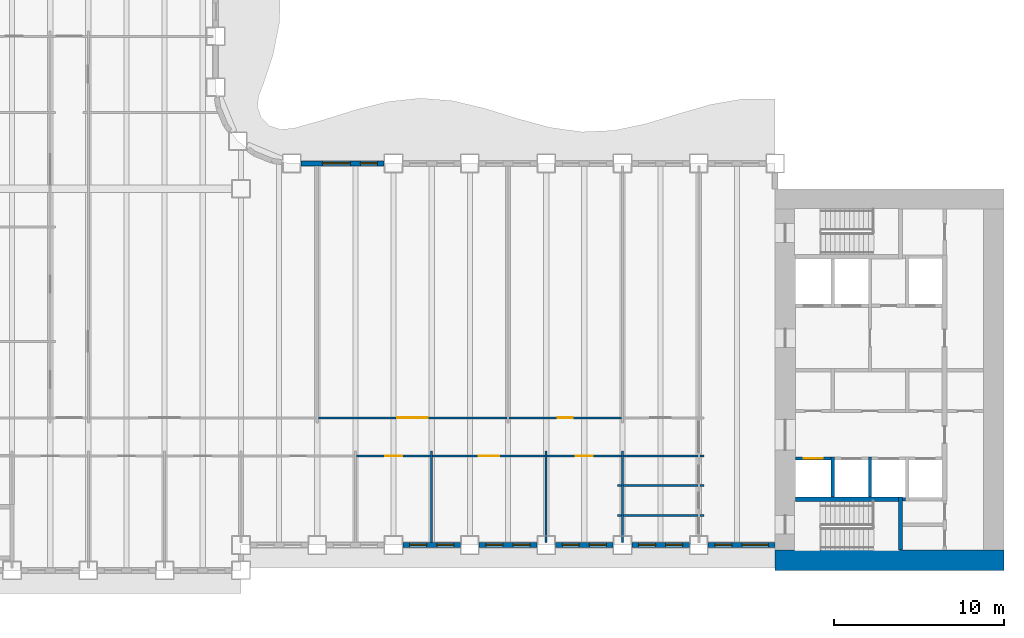
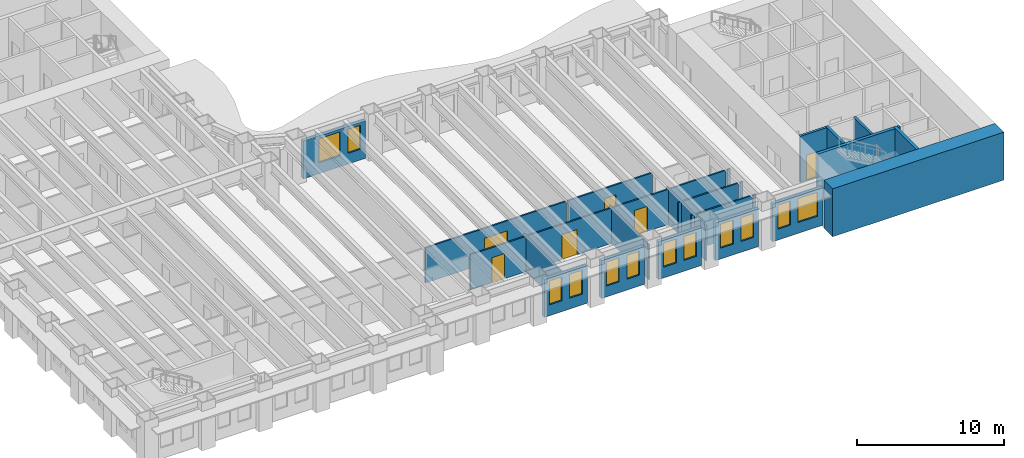
# One storey, part 5 of 17: 29 walls, 12 windows, 6 doors, 18 openings.
"""IFC4 building model written with IfcOpenShell, lengths in metres."""

from ifc_helpers import new_model, si_unit, direction, frame, frame_2d, origin, place, context, subcontext, project, spatial, rectangle, extrude, material, layer, layer_set, type_object, element, fill, save


model = new_model("IFC4")

# Units and contexts
model_context = context("Model", 3, precision=1e-05, world=origin(), true_north=direction((0.0, 1.0)))
body_context = subcontext(model_context, "Body", "Model", "MODEL_VIEW")
ifc_project = project(units=[si_unit("LENGTHUNIT", "METRE"), si_unit("AREAUNIT", "SQUARE_METRE"), si_unit("VOLUMEUNIT", "CUBIC_METRE"), si_unit("PLANEANGLEUNIT", "RADIAN"), si_unit("MASSUNIT", "GRAM", prefix="KILO")], contexts=[model_context])

# Site, building, storey
site_placement = place(None, origin())
site = spatial("IfcSite", under=ifc_project, at=site_placement, CompositionType="ELEMENT")
building_placement = place(site_placement, origin())
building = spatial("IfcBuilding", under=site, at=building_placement, Name="Sennacour Bend Tower", CompositionType="ELEMENT")
storey_placement = place(building_placement, frame((0.0, 0.0, 53.0)))
storey = spatial("IfcBuildingStorey", under=building, at=storey_placement, Name="L11", CompositionType="ELEMENT", Elevation=53.0)

# Walls
ifc_material_1 = material(Name="Concrete C80/95", Category="concrete")
ifc_layer_1 = layer(ifc_material_1, 1.199951171875, Name="Concrete C80/95", Category="concrete")
ifc_layer_set_1 = layer_set([ifc_layer_1], Name="Concrete C80/95")
wall_type_1 = type_object("IfcWallType", Name="Core wall 1200 C80/95", PredefinedType="SHEAR", material=ifc_layer_set_1)
wall_1_placement = place(storey_placement, frame((67.5, 0.60009765625, -0.14990234375), z_axis=(0.0, 0.0, 1.0), x_axis=(-1.0, 0.0, 0.0)))
element("IfcWall", 1, at=wall_1_placement, inside=storey, type_object=wall_type_1, Name="Core A wall L11 S", PredefinedType="SHEAR", context=body_context, shape_type="SweptSolid", body=[
    extrude(rectangle(XDim=13.5, YDim=1.199951171875, at=frame_2d((6.75, 0.0))), origin(), (0.0, 0.0, 1.0), 4.0),
])
ifc_material_2 = material(Name="Plasterboard partition on steel studs", Category="steel")
ifc_layer_2 = layer(ifc_material_2, 0.1201171875, Name="Plasterboard partition on steel studs", Category="steel")
ifc_layer_set_2 = layer_set([ifc_layer_2], Name="Plasterboard partition on steel studs")
wall_type_2 = type_object("IfcWallType", Name="Partition 120", PredefinedType="PARTITIONING", material=ifc_layer_set_2)
for number, where, z_axis, x_axis, name in (
    (2, (33.75, 1.64990234375, 0.0), (0.0, 0.0, 1.0), (0.0, 1.0, 0.0), "P-L11-W029a"),
    (3, (40.5, 1.64990234375, 0.0), (0.0, 0.0, 1.0), (0.0, 1.0, 0.0), "P-L11-W031a"),
    (4, (45.0, 1.64990234375, 0.0), (0.0, 0.0, 1.0), (0.0, 1.0, 0.0), "P-L11-W032a"),
):
    element("IfcWall", number, at=place(storey_placement, frame(where, z_axis=z_axis, x_axis=x_axis)), inside=storey, type_object=wall_type_2, Name=name, PredefinedType="PARTITIONING", context=body_context, shape_type="SweptSolid", body=[
        extrude(rectangle(XDim=5.400146484375, YDim=0.1201171875, at=frame_2d((2.7001953125, 0.0))), origin(), (0.0, 0.0, 1.0), 2.93798828125),
    ])
wall_2_placement = place(storey_placement, frame((44.699951171875, 3.25, 0.0), z_axis=(0.0, 0.0, 1.0), x_axis=(1.0, 0.0, 0.0)))
element("IfcWall", 5, at=wall_2_placement, inside=storey, type_object=wall_type_2, Name="P-L11-W054aa", PredefinedType="PARTITIONING", context=body_context, shape_type="SweptSolid", body=[
    extrude(rectangle(XDim=0.239990234375, YDim=0.1201171875, at=frame_2d((0.1201171875, 0.0))), origin(), (0.0, 0.0, 1.0), 2.93798828125),
])
wall_3_placement = place(storey_placement, frame((45.06005859375, 3.25, 0.0), z_axis=(0.0, 0.0, 1.0), x_axis=(1.0, 0.0, 0.0)))
element("IfcWall", 6, at=wall_3_placement, inside=storey, type_object=wall_type_2, Name="P-L11-W054ab", PredefinedType="PARTITIONING", context=body_context, shape_type="SweptSolid", body=[
    extrude(rectangle(XDim=4.3798828125, YDim=0.1201171875, at=frame_2d((2.18994140625, 0.0))), origin(), (0.0, 0.0, 1.0), 2.93798828125),
])
for number, where, z_axis, x_axis, name in (
    (7, (49.56005859375, 3.25, 0.0), (0.0, 0.0, 1.0), (1.0, 0.0, 0.0), "P-L11-W054ac"),
    (8, (44.699951171875, 5.0, 0.0), (0.0, 0.0, 1.0), (1.0, 0.0, 0.0), "P-L11-W059aa"),
):
    element("IfcWall", number, at=place(storey_placement, frame(where, z_axis=z_axis, x_axis=x_axis)), inside=storey, type_object=wall_type_2, Name=name, PredefinedType="PARTITIONING", context=body_context, shape_type="SweptSolid", body=[
        extrude(rectangle(XDim=0.239990234375, YDim=0.1201171875, at=frame_2d((0.1201171875, 0.0))), origin(), (0.0, 0.0, 1.0), 2.93798828125),
    ])
wall_4_placement = place(storey_placement, frame((45.06005859375, 5.0, 0.0), z_axis=(0.0, 0.0, 1.0), x_axis=(1.0, 0.0, 0.0)))
element("IfcWall", 9, at=wall_4_placement, inside=storey, type_object=wall_type_2, Name="P-L11-W059ab", PredefinedType="PARTITIONING", context=body_context, shape_type="SweptSolid", body=[
    extrude(rectangle(XDim=4.3798828125, YDim=0.1201171875, at=frame_2d((2.18994140625, 0.0))), origin(), (0.0, 0.0, 1.0), 2.93798828125),
])
wall_5_placement = place(storey_placement, frame((49.56005859375, 5.0, 0.0), z_axis=(0.0, 0.0, 1.0), x_axis=(1.0, 0.0, 0.0)))
element("IfcWall", 10, at=wall_5_placement, inside=storey, type_object=wall_type_2, Name="P-L11-W059ac", PredefinedType="PARTITIONING", context=body_context, shape_type="SweptSolid", body=[
    extrude(rectangle(XDim=0.239990234375, YDim=0.1201171875, at=frame_2d((0.1201171875, 0.0))), origin(), (0.0, 0.0, 1.0), 2.93798828125),
])

# Wall, opening, door
wall_6_placement = place(storey_placement, frame((29.31005859375, 6.75, 0.0), z_axis=(0.0, 0.0, 1.0), x_axis=(1.0, 0.0, 0.0)))
wall_6 = element("IfcWall", 11, at=wall_6_placement, inside=storey, type_object=wall_type_2, Name="P-L11-W061af", PredefinedType="PARTITIONING", context=body_context, shape_type="SweptSolid", body=[
    extrude(rectangle(XDim=4.3798828125, YDim=0.1201171875, at=frame_2d((2.18994140625, 0.0))), origin(), (0.0, 0.0, 1.0), 2.93798828125),
])
opening_1_placement = place(wall_6_placement, frame((1.68994140625, 0.0, 0.0)))
opening_1 = element("IfcOpeningElement", 12, at=opening_1_placement, cuts=wall_6, Name="Opening OD2", PredefinedType="OPENING", context=body_context, shape_type="SweptSolid", body=[
    extrude(rectangle(XDim=1.0, YDim=2.10009765625, at=frame_2d((0.5, 1.050048828125))), frame((0.0, 0.070068359375, 0.0), z_axis=(0.0, -1.0, 0.0), x_axis=(1.0, 0.0, 0.0)), (0.0, 0.0, 1.0), 0.14013671875),
])
ifc_material_3 = material(Name="Timber", Category="wood")
door_type_1 = type_object("IfcDoorType", Name="DR-OFFICE-1000", OperationType="NOTDEFINED", PredefinedType="DOOR", material=ifc_material_3)
door_1_placement = place(opening_1_placement, origin())
door_1 = element("IfcDoor", 13, at=door_1_placement, inside=storey, type_object=door_type_1, Name="Door", OperationType="SINGLE_SWING_LEFT", OverallHeight=2.10009765625, OverallWidth=1.0, PredefinedType="DOOR", context=body_context, shape_type="SweptSolid", body=[
    extrude(rectangle(XDim=1.0, YDim=2.10009765625, at=frame_2d((0.5, 1.050048828125))), frame((0.0, 0.02490234375, 0.0), z_axis=(0.0, -1.0, 0.0), x_axis=(1.0, 0.0, 0.0)), (0.0, 0.0, 1.0), 0.050048828125),
])
fill(opening_1, door_1)

wall_7_placement = place(storey_placement, frame((33.81005859375, 6.75, 0.0), z_axis=(0.0, 0.0, 1.0), x_axis=(1.0, 0.0, 0.0)))
wall_7 = element("IfcWall", 14, at=wall_7_placement, inside=storey, type_object=wall_type_2, Name="P-L11-W061ag", PredefinedType="PARTITIONING", context=body_context, shape_type="SweptSolid", body=[
    extrude(rectangle(XDim=6.6298828125, YDim=0.1201171875, at=frame_2d((3.31494140625, 0.0))), origin(), (0.0, 0.0, 1.0), 2.93798828125),
])
opening_2_placement = place(wall_7_placement, frame((2.71484375, 0.0, 0.0)))
opening_2 = element("IfcOpeningElement", 15, at=opening_2_placement, cuts=wall_7, Name="Opening OD", PredefinedType="OPENING", context=body_context, shape_type="SweptSolid", body=[
    extrude(rectangle(XDim=1.199951171875, YDim=2.10009765625, at=frame_2d((0.60009765625, 1.050048828125))), frame((0.0, 0.070068359375, 0.0), z_axis=(0.0, -1.0, 0.0), x_axis=(1.0, 0.0, 0.0)), (0.0, 0.0, 1.0), 0.14013671875),
])
door_type_2 = type_object("IfcDoorType", Name="DR-OFFICE-1200", OperationType="NOTDEFINED", PredefinedType="DOOR", material=ifc_material_3)
door_2_placement = place(opening_2_placement, origin())
door_2 = element("IfcDoor", 16, at=door_2_placement, inside=storey, type_object=door_type_2, Name="Door", OperationType="SINGLE_SWING_LEFT", OverallHeight=2.10009765625, OverallWidth=1.199951171875, PredefinedType="DOOR", context=body_context, shape_type="SweptSolid", body=[
    extrude(rectangle(XDim=1.199951171875, YDim=2.10009765625, at=frame_2d((0.60009765625, 1.050048828125))), frame((0.0, 0.02490234375, 0.0), z_axis=(0.0, -1.0, 0.0), x_axis=(1.0, 0.0, 0.0)), (0.0, 0.0, 1.0), 0.050048828125),
])
fill(opening_2, door_2)

wall_8_placement = place(storey_placement, frame((40.56005859375, 6.75, 0.0), z_axis=(0.0, 0.0, 1.0), x_axis=(1.0, 0.0, 0.0)))
wall_8 = element("IfcWall", 17, at=wall_8_placement, inside=storey, type_object=wall_type_2, Name="P-L11-W061ah", PredefinedType="PARTITIONING", context=body_context, shape_type="SweptSolid", body=[
    extrude(rectangle(XDim=4.3798828125, YDim=0.1201171875, at=frame_2d((2.18994140625, 0.0))), origin(), (0.0, 0.0, 1.0), 2.93798828125),
])
opening_3_placement = place(wall_8_placement, frame((1.68994140625, 0.0, 0.0)))
opening_3 = element("IfcOpeningElement", 18, at=opening_3_placement, cuts=wall_8, Name="Opening MD2", PredefinedType="OPENING", context=body_context, shape_type="SweptSolid", body=[
    extrude(rectangle(XDim=1.0, YDim=2.10009765625, at=frame_2d((0.5, 1.050048828125))), frame((0.0, 0.070068359375, 0.0), z_axis=(0.0, -1.0, 0.0), x_axis=(1.0, 0.0, 0.0)), (0.0, 0.0, 1.0), 0.14013671875),
])
door_type_3 = type_object("IfcDoorType", Name="DR-MEETING-1000", OperationType="NOTDEFINED", PredefinedType="DOOR", material=ifc_material_3)
door_3_placement = place(opening_3_placement, origin())
door_3 = element("IfcDoor", 19, at=door_3_placement, inside=storey, type_object=door_type_3, Name="Door", OperationType="SINGLE_SWING_LEFT", OverallHeight=2.10009765625, OverallWidth=1.0, PredefinedType="DOOR", context=body_context, shape_type="SweptSolid", body=[
    extrude(rectangle(XDim=1.0, YDim=2.10009765625, at=frame_2d((0.5, 1.050048828125))), frame((0.0, 0.02490234375, 0.0), z_axis=(0.0, -1.0, 0.0), x_axis=(1.0, 0.0, 0.0)), (0.0, 0.0, 1.0), 0.050048828125),
])
fill(opening_3, door_3)

# Walls
wall_9_placement = place(storey_placement, frame((45.06005859375, 6.75, 0.0), z_axis=(0.0, 0.0, 1.0), x_axis=(1.0, 0.0, 0.0)))
element("IfcWall", 20, at=wall_9_placement, inside=storey, type_object=wall_type_2, Name="P-L11-W061ai", PredefinedType="PARTITIONING", context=body_context, shape_type="SweptSolid", body=[
    extrude(rectangle(XDim=4.3798828125, YDim=0.1201171875, at=frame_2d((2.18994140625, 0.0))), origin(), (0.0, 0.0, 1.0), 2.93798828125),
])
wall_10_placement = place(storey_placement, frame((49.56005859375, 6.75, 0.0), z_axis=(0.0, 0.0, 1.0), x_axis=(1.0, 0.0, 0.0)))
element("IfcWall", 21, at=wall_10_placement, inside=storey, type_object=wall_type_2, Name="P-L11-W061aj", PredefinedType="PARTITIONING", context=body_context, shape_type="SweptSolid", body=[
    extrude(rectangle(XDim=0.239990234375, YDim=0.1201171875, at=frame_2d((0.1201171875, 0.0))), origin(), (0.0, 0.0, 1.0), 2.93798828125),
])

# Wall, opening, door
wall_11_placement = place(storey_placement, frame((27.06005859375, 9.0, 0.0), z_axis=(0.0, 0.0, 1.0), x_axis=(1.0, 0.0, 0.0)))
wall_11 = element("IfcWall", 22, at=wall_11_placement, inside=storey, type_object=wall_type_2, Name="P-L11-W062ad", PredefinedType="PARTITIONING", context=body_context, shape_type="SweptSolid", body=[
    extrude(rectangle(XDim=11.1298828125, YDim=0.1201171875, at=frame_2d((5.56494140625, 0.0))), origin(), (0.0, 0.0, 1.0), 2.93798828125),
])
opening_4_placement = place(wall_11_placement, frame((4.664794921875, 0.0, 0.0)))
opening_4 = element("IfcOpeningElement", 23, at=opening_4_placement, cuts=wall_11, Name="Opening OD3", PredefinedType="OPENING", context=body_context, shape_type="SweptSolid", body=[
    extrude(rectangle(XDim=1.800048828125, YDim=2.10009765625, at=frame_2d((0.89990234375, 1.050048828125))), frame((0.0, 0.070068359375, 0.0), z_axis=(0.0, -1.0, 0.0), x_axis=(1.0, 0.0, 0.0)), (0.0, 0.0, 1.0), 0.14013671875),
])
door_type_4 = type_object("IfcDoorType", Name="DR-OFFICE-1800", OperationType="NOTDEFINED", PredefinedType="DOOR", material=ifc_material_3)
door_4_placement = place(opening_4_placement, origin())
door_4 = element("IfcDoor", 24, at=door_4_placement, inside=storey, type_object=door_type_4, Name="Door", OperationType="DOUBLE_DOOR_SINGLE_SWING", OverallHeight=2.10009765625, OverallWidth=1.800048828125, PredefinedType="DOOR", context=body_context, shape_type="SweptSolid", body=[
    extrude(rectangle(XDim=1.800048828125, YDim=2.10009765625, at=frame_2d((0.89990234375, 1.050048828125))), frame((0.0, 0.02490234375, 0.0), z_axis=(0.0, -1.0, 0.0), x_axis=(1.0, 0.0, 0.0)), (0.0, 0.0, 1.0), 0.050048828125),
])
fill(opening_4, door_4)

ifc_layer_3 = layer(ifc_material_2, 0.1201171875, Name="Plasterboard partition on steel studs", Category="steel")
ifc_layer_set_3 = layer_set([ifc_layer_3], Name="Plasterboard partition on steel studs")
wall_type_3 = type_object("IfcWallType", Name="Partition 120 EI 60", PredefinedType="PARTITIONING", material=ifc_layer_set_3)
wall_12_placement = place(storey_placement, frame((38.31005859375, 9.0, 0.0), z_axis=(0.0, 0.0, 1.0), x_axis=(1.0, 0.0, 0.0)))
wall_12 = element("IfcWall", 25, at=wall_12_placement, inside=storey, type_object=wall_type_3, Name="P-L11-W062ae", PredefinedType="PARTITIONING", context=body_context, shape_type="SweptSolid", body=[
    extrude(rectangle(XDim=6.6298828125, YDim=0.1201171875, at=frame_2d((3.31494140625, 0.0))), origin(), (0.0, 0.0, 1.0), 2.93798828125),
])
opening_5_placement = place(wall_12_placement, frame((2.864990234375, 0.0, 0.0)))
opening_5 = element("IfcOpeningElement", 26, at=opening_5_placement, cuts=wall_12, Name="Opening SV", PredefinedType="OPENING", context=body_context, shape_type="SweptSolid", body=[
    extrude(rectangle(XDim=0.89990234375, YDim=2.10009765625, at=frame_2d((0.449951171875, 1.050048828125))), frame((0.0, 0.070068359375, 0.0), z_axis=(0.0, -1.0, 0.0), x_axis=(1.0, 0.0, 0.0)), (0.0, 0.0, 1.0), 0.14013671875),
])
ifc_material_4 = material(Name="Painted steel", Category="steel")
door_type_5 = type_object("IfcDoorType", Name="DR-SERVICE-900", OperationType="NOTDEFINED", PredefinedType="DOOR", material=ifc_material_4)
door_5_placement = place(opening_5_placement, origin())
door_5 = element("IfcDoor", 27, at=door_5_placement, inside=storey, type_object=door_type_5, Name="Door", OperationType="SINGLE_SWING_LEFT", OverallHeight=2.10009765625, OverallWidth=0.89990234375, PredefinedType="DOOR", context=body_context, shape_type="SweptSolid", body=[
    extrude(rectangle(XDim=0.89990234375, YDim=2.10009765625, at=frame_2d((0.449951171875, 1.050048828125))), frame((0.0, 0.02490234375, 0.0), z_axis=(0.0, -1.0, 0.0), x_axis=(1.0, 0.0, 0.0)), (0.0, 0.0, 1.0), 0.050048828125),
])
fill(opening_5, door_5)

# Wall, openings, windows
ifc_material_5 = material(Name="Warm limestone cladding", Category="masonry")
ifc_layer_4 = layer(ifc_material_5, 0.050048828125, Name="Warm limestone cladding", Category="masonry")
ifc_material_6 = material(Name="Precast concrete C40/50", Category="concrete")
ifc_layer_5 = layer(ifc_material_6, 0.25, Name="Precast concrete C40/50", Category="concrete")
ifc_layer_set_4 = layer_set([ifc_layer_4, ifc_layer_5], Name="Precast concrete C40/50 with limestone cladding")
wall_type_4 = type_object("IfcWallType", Name="STONE-CLAD PRECAST SPANDREL 300", PredefinedType="STANDARD", material=ifc_layer_set_4)
wall_13_placement = place(storey_placement, frame((32.050048828125, 1.5, 0.0), z_axis=(0.0, 0.0, 1.0), x_axis=(1.0, 0.0, 0.0)))
wall_13 = element("IfcWall", 28, at=wall_13_placement, inside=storey, type_object=wall_type_4, Name="Stone spandrel and pier wall L11 02.02", PredefinedType="STANDARD", context=body_context, shape_type="SweptSolid", body=[
    extrude(rectangle(XDim=3.39990234375, YDim=0.300048828125, at=frame_2d((1.699951171875, 0.0))), origin(), (0.0, 0.0, 1.0), 3.14404296875),
])
opening_6_placement = place(wall_13_placement, frame((0.39990234375, 0.0, 0.89990234375)))
opening_6 = element("IfcOpeningElement", 29, at=opening_6_placement, cuts=wall_13, Name="Opening W8", PredefinedType="OPENING", context=body_context, shape_type="SweptSolid", body=[
    extrude(rectangle(XDim=1.0, YDim=2.0, at=frame_2d((0.5, 1.0))), frame((0.0, 0.16015625, 0.0), z_axis=(0.0, -1.0, 0.0), x_axis=(1.0, 0.0, 0.0)), (0.0, 0.0, 1.0), 0.320068359375),
])
opening_7_placement = place(wall_13_placement, frame((2.0, 0.0, 0.89990234375)))
opening_7 = element("IfcOpeningElement", 30, at=opening_7_placement, cuts=wall_13, Name="Opening W8", PredefinedType="OPENING", context=body_context, shape_type="SweptSolid", body=[
    extrude(rectangle(XDim=1.0, YDim=2.0, at=frame_2d((0.5, 1.0))), frame((0.0, 0.16015625, 0.0), z_axis=(0.0, -1.0, 0.0), x_axis=(1.0, 0.0, 0.0)), (0.0, 0.0, 1.0), 0.320068359375),
])
ifc_material_7 = material(Name="Clear low-emissivity glass", Category="glass")
window_type_1 = type_object("IfcWindowType", Name="WIN-RIBBON-1000x2000", PartitioningType="SINGLE_PANEL", PredefinedType="WINDOW", material=ifc_material_7)
window_1_placement = place(opening_6_placement, origin())
window_1 = element("IfcWindow", 31, at=window_1_placement, inside=storey, type_object=window_type_1, Name="Ribbon window L11 02.02.0", OverallHeight=2.0, OverallWidth=1.0, PartitioningType="SINGLE_PANEL", PredefinedType="WINDOW", context=body_context, shape_type="SweptSolid", body=[
    extrude(rectangle(XDim=1.0, YDim=2.0, at=frame_2d((0.5, 1.0))), frame((0.0, 0.030029296875, 0.0), z_axis=(0.0, -1.0, 0.0), x_axis=(1.0, 0.0, 0.0)), (0.0, 0.0, 1.0), 0.06005859375),
])
fill(opening_6, window_1)
window_2_placement = place(opening_7_placement, origin())
window_2 = element("IfcWindow", 32, at=window_2_placement, inside=storey, type_object=window_type_1, Name="Ribbon window L11 02.02.1", OverallHeight=2.0, OverallWidth=1.0, PartitioningType="SINGLE_PANEL", PredefinedType="WINDOW", context=body_context, shape_type="SweptSolid", body=[
    extrude(rectangle(XDim=1.0, YDim=2.0, at=frame_2d((0.5, 1.0))), frame((0.0, 0.030029296875, 0.0), z_axis=(0.0, -1.0, 0.0), x_axis=(1.0, 0.0, 0.0)), (0.0, 0.0, 1.0), 0.06005859375),
])
fill(opening_7, window_2)

wall_14_placement = place(storey_placement, frame((36.550048828125, 1.5, 0.0), z_axis=(0.0, 0.0, 1.0), x_axis=(1.0, 0.0, 0.0)))
wall_14 = element("IfcWall", 33, at=wall_14_placement, inside=storey, type_object=wall_type_4, Name="Stone spandrel and pier wall L11 02.03", PredefinedType="STANDARD", context=body_context, shape_type="SweptSolid", body=[
    extrude(rectangle(XDim=3.39990234375, YDim=0.300048828125, at=frame_2d((1.699951171875, 0.0))), origin(), (0.0, 0.0, 1.0), 3.14404296875),
])
opening_8_placement = place(wall_14_placement, frame((0.39990234375, 0.0, 0.89990234375)))
opening_8 = element("IfcOpeningElement", 34, at=opening_8_placement, cuts=wall_14, Name="Opening W8", PredefinedType="OPENING", context=body_context, shape_type="SweptSolid", body=[
    extrude(rectangle(XDim=1.0, YDim=2.0, at=frame_2d((0.5, 1.0))), frame((0.0, 0.16015625, 0.0), z_axis=(0.0, -1.0, 0.0), x_axis=(1.0, 0.0, 0.0)), (0.0, 0.0, 1.0), 0.320068359375),
])
opening_9_placement = place(wall_14_placement, frame((2.0, 0.0, 0.89990234375)))
opening_9 = element("IfcOpeningElement", 35, at=opening_9_placement, cuts=wall_14, Name="Opening W8", PredefinedType="OPENING", context=body_context, shape_type="SweptSolid", body=[
    extrude(rectangle(XDim=1.0, YDim=2.0, at=frame_2d((0.5, 1.0))), frame((0.0, 0.16015625, 0.0), z_axis=(0.0, -1.0, 0.0), x_axis=(1.0, 0.0, 0.0)), (0.0, 0.0, 1.0), 0.320068359375),
])
window_3_placement = place(opening_8_placement, origin())
window_3 = element("IfcWindow", 36, at=window_3_placement, inside=storey, type_object=window_type_1, Name="Ribbon window L11 02.03.0", OverallHeight=2.0, OverallWidth=1.0, PartitioningType="SINGLE_PANEL", PredefinedType="WINDOW", context=body_context, shape_type="SweptSolid", body=[
    extrude(rectangle(XDim=1.0, YDim=2.0, at=frame_2d((0.5, 1.0))), frame((0.0, 0.030029296875, 0.0), z_axis=(0.0, -1.0, 0.0), x_axis=(1.0, 0.0, 0.0)), (0.0, 0.0, 1.0), 0.06005859375),
])
fill(opening_8, window_3)
window_4_placement = place(opening_9_placement, origin())
window_4 = element("IfcWindow", 37, at=window_4_placement, inside=storey, type_object=window_type_1, Name="Ribbon window L11 02.03.1", OverallHeight=2.0, OverallWidth=1.0, PartitioningType="SINGLE_PANEL", PredefinedType="WINDOW", context=body_context, shape_type="SweptSolid", body=[
    extrude(rectangle(XDim=1.0, YDim=2.0, at=frame_2d((0.5, 1.0))), frame((0.0, 0.030029296875, 0.0), z_axis=(0.0, -1.0, 0.0), x_axis=(1.0, 0.0, 0.0)), (0.0, 0.0, 1.0), 0.06005859375),
])
fill(opening_9, window_4)

wall_15_placement = place(storey_placement, frame((41.050048828125, 1.5, 0.0), z_axis=(0.0, 0.0, 1.0), x_axis=(1.0, 0.0, 0.0)))
wall_15 = element("IfcWall", 38, at=wall_15_placement, inside=storey, type_object=wall_type_4, Name="Stone spandrel and pier wall L11 02.04", PredefinedType="STANDARD", context=body_context, shape_type="SweptSolid", body=[
    extrude(rectangle(XDim=3.39990234375, YDim=0.300048828125, at=frame_2d((1.699951171875, 0.0))), origin(), (0.0, 0.0, 1.0), 3.14404296875),
])
opening_10_placement = place(wall_15_placement, frame((0.39990234375, 0.0, 0.89990234375)))
opening_10 = element("IfcOpeningElement", 39, at=opening_10_placement, cuts=wall_15, Name="Opening W8", PredefinedType="OPENING", context=body_context, shape_type="SweptSolid", body=[
    extrude(rectangle(XDim=1.0, YDim=2.0, at=frame_2d((0.5, 1.0))), frame((0.0, 0.16015625, 0.0), z_axis=(0.0, -1.0, 0.0), x_axis=(1.0, 0.0, 0.0)), (0.0, 0.0, 1.0), 0.320068359375),
])
opening_11_placement = place(wall_15_placement, frame((2.0, 0.0, 0.89990234375)))
opening_11 = element("IfcOpeningElement", 40, at=opening_11_placement, cuts=wall_15, Name="Opening W8", PredefinedType="OPENING", context=body_context, shape_type="SweptSolid", body=[
    extrude(rectangle(XDim=1.0, YDim=2.0, at=frame_2d((0.5, 1.0))), frame((0.0, 0.16015625, 0.0), z_axis=(0.0, -1.0, 0.0), x_axis=(1.0, 0.0, 0.0)), (0.0, 0.0, 1.0), 0.320068359375),
])
window_5_placement = place(opening_10_placement, origin())
window_5 = element("IfcWindow", 41, at=window_5_placement, inside=storey, type_object=window_type_1, Name="Ribbon window L11 02.04.0", OverallHeight=2.0, OverallWidth=1.0, PartitioningType="SINGLE_PANEL", PredefinedType="WINDOW", context=body_context, shape_type="SweptSolid", body=[
    extrude(rectangle(XDim=1.0, YDim=2.0, at=frame_2d((0.5, 1.0))), frame((0.0, 0.030029296875, 0.0), z_axis=(0.0, -1.0, 0.0), x_axis=(1.0, 0.0, 0.0)), (0.0, 0.0, 1.0), 0.06005859375),
])
fill(opening_10, window_5)
window_6_placement = place(opening_11_placement, origin())
window_6 = element("IfcWindow", 42, at=window_6_placement, inside=storey, type_object=window_type_1, Name="Ribbon window L11 02.04.1", OverallHeight=2.0, OverallWidth=1.0, PartitioningType="SINGLE_PANEL", PredefinedType="WINDOW", context=body_context, shape_type="SweptSolid", body=[
    extrude(rectangle(XDim=1.0, YDim=2.0, at=frame_2d((0.5, 1.0))), frame((0.0, 0.030029296875, 0.0), z_axis=(0.0, -1.0, 0.0), x_axis=(1.0, 0.0, 0.0)), (0.0, 0.0, 1.0), 0.06005859375),
])
fill(opening_11, window_6)

wall_16_placement = place(storey_placement, frame((45.550048828125, 1.5, 0.0), z_axis=(0.0, 0.0, 1.0), x_axis=(1.0, 0.0, 0.0)))
wall_16 = element("IfcWall", 43, at=wall_16_placement, inside=storey, type_object=wall_type_4, Name="Stone spandrel and pier wall L11 02.05", PredefinedType="STANDARD", context=body_context, shape_type="SweptSolid", body=[
    extrude(rectangle(XDim=3.39990234375, YDim=0.300048828125, at=frame_2d((1.699951171875, 0.0))), origin(), (0.0, 0.0, 1.0), 3.14404296875),
])
opening_12_placement = place(wall_16_placement, frame((0.39990234375, 0.0, 0.89990234375)))
opening_12 = element("IfcOpeningElement", 44, at=opening_12_placement, cuts=wall_16, Name="Opening W8", PredefinedType="OPENING", context=body_context, shape_type="SweptSolid", body=[
    extrude(rectangle(XDim=1.0, YDim=2.0, at=frame_2d((0.5, 1.0))), frame((0.0, 0.16015625, 0.0), z_axis=(0.0, -1.0, 0.0), x_axis=(1.0, 0.0, 0.0)), (0.0, 0.0, 1.0), 0.320068359375),
])
opening_13_placement = place(wall_16_placement, frame((2.0, 0.0, 0.89990234375)))
opening_13 = element("IfcOpeningElement", 45, at=opening_13_placement, cuts=wall_16, Name="Opening W8", PredefinedType="OPENING", context=body_context, shape_type="SweptSolid", body=[
    extrude(rectangle(XDim=1.0, YDim=2.0, at=frame_2d((0.5, 1.0))), frame((0.0, 0.16015625, 0.0), z_axis=(0.0, -1.0, 0.0), x_axis=(1.0, 0.0, 0.0)), (0.0, 0.0, 1.0), 0.320068359375),
])
window_7_placement = place(opening_12_placement, origin())
window_7 = element("IfcWindow", 46, at=window_7_placement, inside=storey, type_object=window_type_1, Name="Ribbon window L11 02.05.0", OverallHeight=2.0, OverallWidth=1.0, PartitioningType="SINGLE_PANEL", PredefinedType="WINDOW", context=body_context, shape_type="SweptSolid", body=[
    extrude(rectangle(XDim=1.0, YDim=2.0, at=frame_2d((0.5, 1.0))), frame((0.0, 0.030029296875, 0.0), z_axis=(0.0, -1.0, 0.0), x_axis=(1.0, 0.0, 0.0)), (0.0, 0.0, 1.0), 0.06005859375),
])
fill(opening_12, window_7)
window_8_placement = place(opening_13_placement, origin())
window_8 = element("IfcWindow", 47, at=window_8_placement, inside=storey, type_object=window_type_1, Name="Ribbon window L11 02.05.1", OverallHeight=2.0, OverallWidth=1.0, PartitioningType="SINGLE_PANEL", PredefinedType="WINDOW", context=body_context, shape_type="SweptSolid", body=[
    extrude(rectangle(XDim=1.0, YDim=2.0, at=frame_2d((0.5, 1.0))), frame((0.0, 0.030029296875, 0.0), z_axis=(0.0, -1.0, 0.0), x_axis=(1.0, 0.0, 0.0)), (0.0, 0.0, 1.0), 0.06005859375),
])
fill(opening_13, window_8)

wall_17_placement = place(storey_placement, frame((50.050048828125, 1.5, 0.0), z_axis=(0.0, 0.0, 1.0), x_axis=(1.0, 0.0, 0.0)))
wall_17 = element("IfcWall", 48, at=wall_17_placement, inside=storey, type_object=wall_type_4, Name="Stone spandrel and pier wall L11 02.06", PredefinedType="STANDARD", context=body_context, shape_type="SweptSolid", body=[
    extrude(rectangle(XDim=3.949951171875, YDim=0.300048828125, at=frame_2d((1.97509765625, 0.0))), origin(), (0.0, 0.0, 1.0), 3.14404296875),
])
opening_14_placement = place(wall_17_placement, frame((0.39990234375, 0.0, 0.89990234375)))
opening_14 = element("IfcOpeningElement", 49, at=opening_14_placement, cuts=wall_17, Name="Opening W8", PredefinedType="OPENING", context=body_context, shape_type="SweptSolid", body=[
    extrude(rectangle(XDim=1.0, YDim=2.0, at=frame_2d((0.5, 1.0))), frame((0.0, 0.16015625, 0.0), z_axis=(0.0, -1.0, 0.0), x_axis=(1.0, 0.0, 0.0)), (0.0, 0.0, 1.0), 0.320068359375),
])
opening_15_placement = place(wall_17_placement, frame((2.0, 0.0, 0.89990234375)))
opening_15 = element("IfcOpeningElement", 50, at=opening_15_placement, cuts=wall_17, Name="Opening W9", PredefinedType="OPENING", context=body_context, shape_type="SweptSolid", body=[
    extrude(rectangle(XDim=1.550048828125, YDim=2.0, at=frame_2d((0.77490234375, 1.0))), frame((0.0, 0.16015625, 0.0), z_axis=(0.0, -1.0, 0.0), x_axis=(1.0, 0.0, 0.0)), (0.0, 0.0, 1.0), 0.320068359375),
])
window_9_placement = place(opening_14_placement, origin())
window_9 = element("IfcWindow", 51, at=window_9_placement, inside=storey, type_object=window_type_1, Name="Ribbon window L11 02.06.0", OverallHeight=2.0, OverallWidth=1.0, PartitioningType="SINGLE_PANEL", PredefinedType="WINDOW", context=body_context, shape_type="SweptSolid", body=[
    extrude(rectangle(XDim=1.0, YDim=2.0, at=frame_2d((0.5, 1.0))), frame((0.0, 0.030029296875, 0.0), z_axis=(0.0, -1.0, 0.0), x_axis=(1.0, 0.0, 0.0)), (0.0, 0.0, 1.0), 0.06005859375),
])
fill(opening_14, window_9)
window_type_2 = type_object("IfcWindowType", Name="WIN-RIBBON-1550x2000", PartitioningType="SINGLE_PANEL", PredefinedType="WINDOW", material=ifc_material_7)
window_10_placement = place(opening_15_placement, origin())
window_10 = element("IfcWindow", 52, at=window_10_placement, inside=storey, type_object=window_type_2, Name="Ribbon window L11 02.06.1", OverallHeight=2.0, OverallWidth=1.550048828125, PartitioningType="SINGLE_PANEL", PredefinedType="WINDOW", context=body_context, shape_type="SweptSolid", body=[
    extrude(rectangle(XDim=1.550048828125, YDim=2.0, at=frame_2d((0.77490234375, 1.0))), frame((0.0, 0.030029296875, 0.0), z_axis=(0.0, -1.0, 0.0), x_axis=(1.0, 0.0, 0.0)), (0.0, 0.0, 1.0), 0.06005859375),
])
fill(opening_15, window_10)

wall_18_placement = place(storey_placement, frame((30.949951171875, 24.0, 0.0), z_axis=(0.0, 0.0, 1.0), x_axis=(-1.0, 0.0, 0.0)))
wall_18 = element("IfcWall", 53, at=wall_18_placement, inside=storey, type_object=wall_type_4, Name="Stone spandrel and pier wall L11 08.05", PredefinedType="STANDARD", context=body_context, shape_type="SweptSolid", body=[
    extrude(rectangle(XDim=4.89990234375, YDim=0.300048828125, at=frame_2d((2.449951171875, 0.0))), origin(), (0.0, 0.0, 1.0), 3.14404296875),
])
opening_16_placement = place(wall_18_placement, frame((0.39990234375, 0.0, 0.89990234375)))
opening_16 = element("IfcOpeningElement", 54, at=opening_16_placement, cuts=wall_18, Name="Opening W8", PredefinedType="OPENING", context=body_context, shape_type="SweptSolid", body=[
    extrude(rectangle(XDim=1.0, YDim=2.0, at=frame_2d((0.5, 1.0))), frame((0.0, 0.16015625, 0.0), z_axis=(0.0, -1.0, 0.0), x_axis=(1.0, 0.0, 0.0)), (0.0, 0.0, 1.0), 0.320068359375),
])
opening_17_placement = place(wall_18_placement, frame((2.0, 0.0, 0.89990234375)))
opening_17 = element("IfcOpeningElement", 55, at=opening_17_placement, cuts=wall_18, Name="Opening W10", PredefinedType="OPENING", context=body_context, shape_type="SweptSolid", body=[
    extrude(rectangle(XDim=1.64990234375, YDim=2.0, at=frame_2d((0.824951171875, 1.0))), frame((0.0, 0.16015625, 0.0), z_axis=(0.0, -1.0, 0.0), x_axis=(1.0, 0.0, 0.0)), (0.0, 0.0, 1.0), 0.320068359375),
])
window_11_placement = place(opening_16_placement, origin())
window_11 = element("IfcWindow", 56, at=window_11_placement, inside=storey, type_object=window_type_1, Name="Ribbon window L11 08.05.0", OverallHeight=2.0, OverallWidth=1.0, PartitioningType="SINGLE_PANEL", PredefinedType="WINDOW", context=body_context, shape_type="SweptSolid", body=[
    extrude(rectangle(XDim=1.0, YDim=2.0, at=frame_2d((0.5, 1.0))), frame((0.0, 0.030029296875, 0.0), z_axis=(0.0, -1.0, 0.0), x_axis=(1.0, 0.0, 0.0)), (0.0, 0.0, 1.0), 0.06005859375),
])
fill(opening_16, window_11)
window_type_3 = type_object("IfcWindowType", Name="WIN-RIBBON-1650x2000", PartitioningType="SINGLE_PANEL", PredefinedType="WINDOW", material=ifc_material_7)
window_12_placement = place(opening_17_placement, origin())
window_12 = element("IfcWindow", 57, at=window_12_placement, inside=storey, type_object=window_type_3, Name="Ribbon window L11 08.05.1", OverallHeight=2.0, OverallWidth=1.64990234375, PartitioningType="SINGLE_PANEL", PredefinedType="WINDOW", context=body_context, shape_type="SweptSolid", body=[
    extrude(rectangle(XDim=1.64990234375, YDim=2.0, at=frame_2d((0.824951171875, 1.0))), frame((0.0, 0.030029296875, 0.0), z_axis=(0.0, -1.0, 0.0), x_axis=(1.0, 0.0, 0.0)), (0.0, 0.0, 1.0), 0.06005859375),
])
fill(opening_17, window_12)

# Walls
ifc_material_8 = material(Name="Concrete C50/60", Category="concrete")
ifc_layer_6 = layer(ifc_material_8, 0.199951171875, Name="Concrete C50/60", Category="concrete")
ifc_layer_set_5 = layer_set([ifc_layer_6], Name="Concrete C50/60")
wall_type_5 = type_object("IfcWallType", Name="Shaft wall 200", PredefinedType="SOLIDWALL", material=ifc_layer_set_5)
for number, where, z_axis, x_axis, name in (
    (58, (57.39990234375, 4.324951171875, 0.0), (0.0, 0.0, 1.0), (0.0, 1.0, 0.0), "P-L11-W036"),
    (59, (59.60009765625, 4.324951171875, 0.0), (0.0, 0.0, 1.0), (0.0, 1.0, 0.0), "P-L11-W039"),
):
    element("IfcWall", number, at=place(storey_placement, frame(where, z_axis=z_axis, x_axis=x_axis)), inside=storey, type_object=wall_type_5, Name=name, PredefinedType="SOLIDWALL", context=body_context, shape_type="SweptSolid", body=[
        extrude(rectangle(XDim=2.375, YDim=0.199951171875, at=frame_2d((1.1875, 0.0))), origin(), (0.0, 0.0, 1.0), 3.85009765625),
    ])
wall_19_placement = place(storey_placement, frame((61.52490234375, 4.199951171875, 0.0), z_axis=(0.0, 0.0, 1.0), x_axis=(1.0, 0.0, 0.0)))
element("IfcWall", 60, at=wall_19_placement, inside=storey, type_object=wall_type_5, Name="P-L11-W058a", PredefinedType="SOLIDWALL", context=body_context, shape_type="SweptSolid", body=[
    extrude(rectangle(XDim=0.175048828125, YDim=0.199951171875, at=frame_2d((0.08740234375, 0.0))), origin(), (0.0, 0.0, 1.0), 3.85009765625),
])

# Wall, opening, door
wall_20_placement = place(storey_placement, frame((55.199951171875, 6.60009765625, 0.0), z_axis=(0.0, 0.0, 1.0), x_axis=(1.0, 0.0, 0.0)))
wall_20 = element("IfcWall", 61, at=wall_20_placement, inside=storey, type_object=wall_type_5, Name="P-L11-W060a", PredefinedType="SOLIDWALL", context=body_context, shape_type="SweptSolid", body=[
    extrude(rectangle(XDim=2.10009765625, YDim=0.199951171875, at=frame_2d((1.050048828125, 0.0))), origin(), (0.0, 0.0, 1.0), 3.85009765625),
])
opening_18_placement = place(wall_20_placement, frame((0.5, 0.0, 0.011962890625)))
opening_18 = element("IfcOpeningElement", 62, at=opening_18_placement, cuts=wall_20, Name="Opening LD", PredefinedType="OPENING", context=body_context, shape_type="SweptSolid", body=[
    extrude(rectangle(XDim=1.10009765625, YDim=2.10009765625, at=frame_2d((0.550048828125, 1.050048828125))), frame((0.0, 0.10986328125, 0.0), z_axis=(0.0, -1.0, 0.0), x_axis=(1.0, 0.0, 0.0)), (0.0, 0.0, 1.0), 0.219970703125),
])
ifc_material_9 = material(Name="Stainless steel", Category="steel")
door_type_6 = type_object("IfcDoorType", Name="DR-LANDING-1100", OperationType="NOTDEFINED", PredefinedType="DOOR", material=ifc_material_9)
door_6_placement = place(opening_18_placement, origin())
door_6 = element("IfcDoor", 63, at=door_6_placement, inside=storey, type_object=door_type_6, Name="Lift landing door LA1", OperationType="SLIDING_TO_LEFT", OverallHeight=2.10009765625, OverallWidth=1.10009765625, PredefinedType="DOOR", context=body_context, shape_type="SweptSolid", body=[
    extrude(rectangle(XDim=1.10009765625, YDim=2.10009765625, at=frame_2d((0.550048828125, 1.050048828125))), frame((0.0, 0.02490234375, 0.0), z_axis=(0.0, -1.0, 0.0), x_axis=(1.0, 0.0, 0.0)), (0.0, 0.0, 1.0), 0.050048828125),
])
fill(opening_18, door_6)

# Walls
ifc_material_10 = material(Name="Concrete C60/75", Category="concrete")
ifc_layer_7 = layer(ifc_material_10, 0.25, Name="Concrete C60/75", Category="concrete")
ifc_layer_set_6 = layer_set([ifc_layer_7], Name="Concrete C60/75")
wall_type_6 = type_object("IfcWallType", Name="Stair wall 250", PredefinedType="SHEAR", material=ifc_layer_set_6)
wall_21_placement = place(storey_placement, frame((61.39990234375, 1.199951171875, 0.0), z_axis=(0.0, 0.0, 1.0), x_axis=(0.0, 1.0, 0.0)))
element("IfcWall", 64, at=wall_21_placement, inside=storey, type_object=wall_type_6, Name="P-L11-W042", PredefinedType="SHEAR", context=body_context, shape_type="SweptSolid", body=[
    extrude(rectangle(XDim=3.125, YDim=0.25, at=frame_2d((1.5625, 0.0))), origin(), (0.0, 0.0, 1.0), 3.85009765625),
])
wall_22_placement = place(storey_placement, frame((55.199951171875, 4.199951171875, 0.0), z_axis=(0.0, 0.0, 1.0), x_axis=(1.0, 0.0, 0.0)))
element("IfcWall", 65, at=wall_22_placement, inside=storey, type_object=wall_type_6, Name="P-L11-W057", PredefinedType="SHEAR", context=body_context, shape_type="SweptSolid", body=[
    extrude(rectangle(XDim=6.074951171875, YDim=0.25, at=frame_2d((3.03759765625, 0.0))), origin(), (0.0, 0.0, 1.0), 3.85009765625),
])

save(model, "model.ifc")
